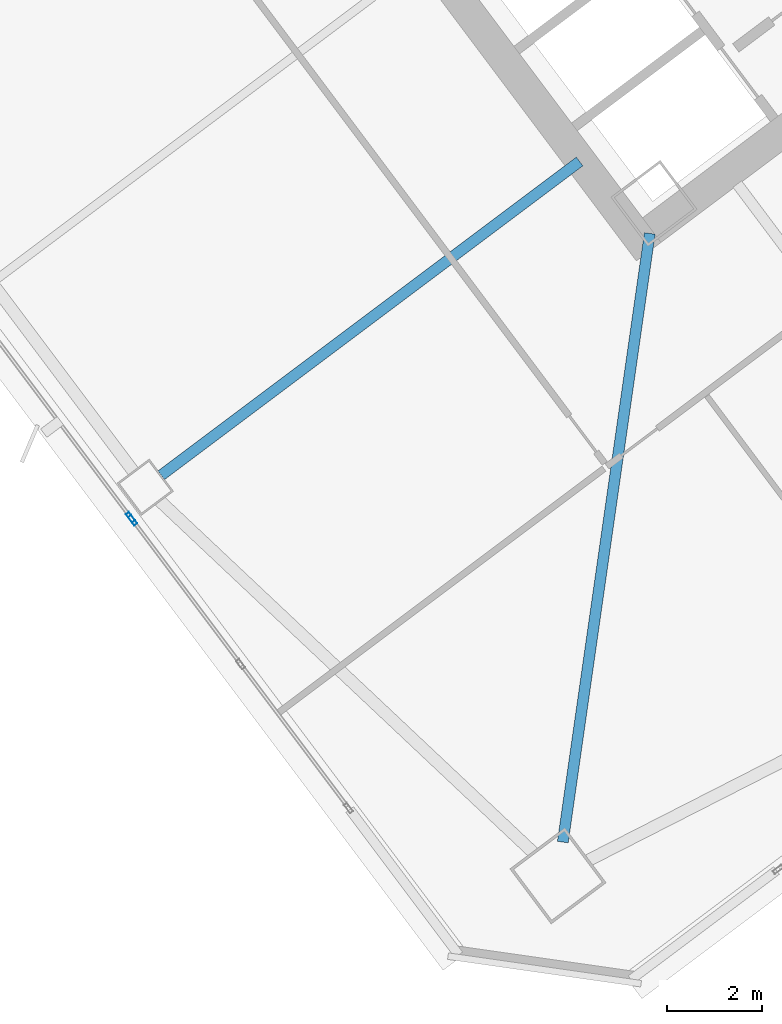
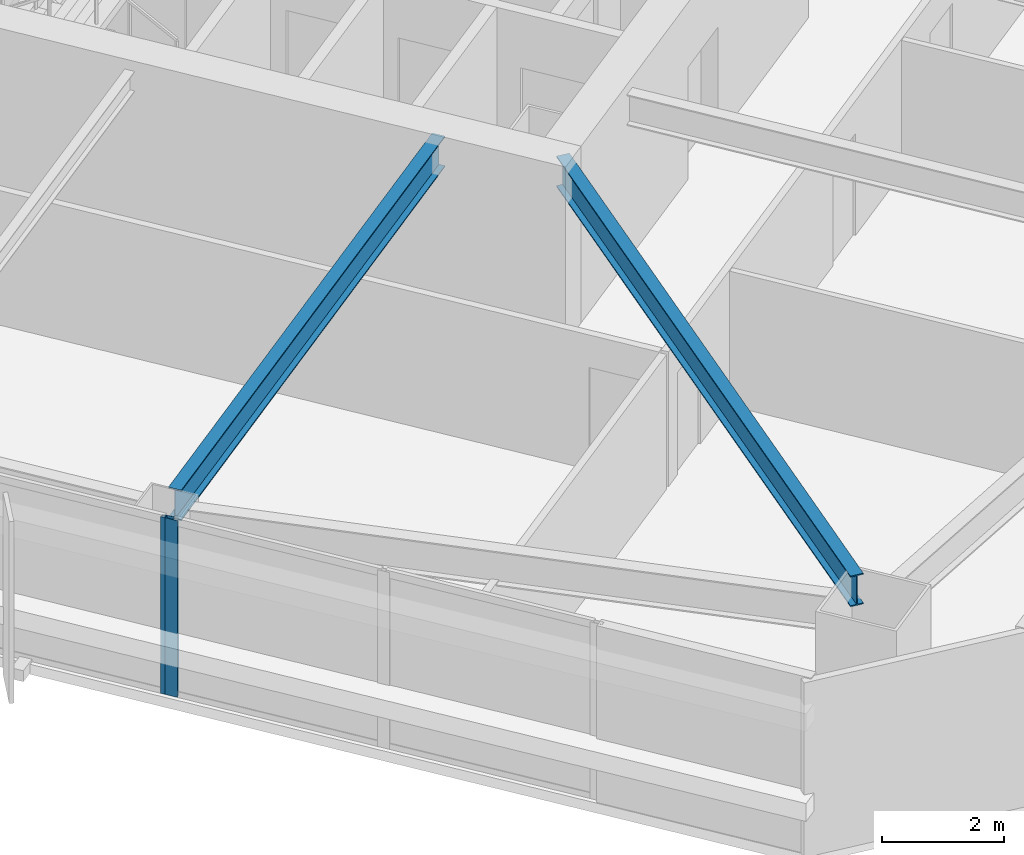
# One storey, part 22 of 49: 2 beams, 2 members, 2 elements without a shape of their own.
"""IFC4 building model written with IfcOpenShell, lengths in metres."""

from ifc_helpers import new_model, si_unit, direction, frame, origin, origin_2d, place, context, subcontext, project, spatial, hollow_rectangle, i_section, extrude, material, material_profile, profile_set, type_object, element, aggregate, save


model = new_model("IFC4")

# Units and contexts
model_context = context("Model", 3, precision=1e-05, world=origin(), true_north=direction((0.0, 1.0)))
body_context = subcontext(model_context, "Body", "Model", "MODEL_VIEW")
ifc_project = project(units=[si_unit("LENGTHUNIT", "METRE"), si_unit("AREAUNIT", "SQUARE_METRE"), si_unit("VOLUMEUNIT", "CUBIC_METRE"), si_unit("PLANEANGLEUNIT", "RADIAN"), si_unit("MASSUNIT", "GRAM", prefix="KILO")], contexts=[model_context])

# Site, building, storey
site_placement = place(None, origin())
site = spatial("IfcSite", under=ifc_project, at=site_placement, CompositionType="ELEMENT")
building_placement = place(site_placement, origin())
building = spatial("IfcBuilding", under=site, at=building_placement, Name="Tashvorn Skyway Center", CompositionType="ELEMENT")
storey_placement = place(building_placement, frame((0.0, 0.0, 70.75)))
storey = spatial("IfcBuildingStorey", under=building, at=storey_placement, Name="L18", CompositionType="ELEMENT", Elevation=70.75)

# Beams
ifc_material_1 = material(Name="Steel ASTM A992 Grade 50", Category="steel")
ifc_material_profile_1 = material_profile(ifc_material_1, i_section(OverallWidth=0.22998046875, OverallDepth=0.616943359375, WebThickness=0.01318359375, FlangeThickness=0.022216796875, at=origin_2d()), Name="W24X94")
ifc_profile_set_1 = profile_set([ifc_material_profile_1], Name="Steel ASTM A992 Grade 50")
beam_type = type_object("IfcBeamType", Name="BM-BEAM-W24X94", PredefinedType="BEAM", material=ifc_profile_set_1)
beam_1_placement = place(storey_placement, frame((110.661865234375, 8.6328125, 3.04150390625), z_axis=(0.141418724841, 0.989949869571, 0.0), x_axis=(-0.989949869571, 0.141418724841, 0.0)))
element("IfcBeam", 1, at=beam_1_placement, inside=storey, type_object=beam_type, Name="Tower 2 L18 Primary Floor Girder MC-SW", PredefinedType="BEAM", context=body_context, shape_type="SweptSolid", body=[
    extrude(i_section(OverallWidth=0.22998046875, OverallDepth=0.616943359375, WebThickness=0.01318359375, FlangeThickness=0.022216796875, at=origin_2d()), origin(), (0.0, 0.0, 1.0), 12.9892578125),
])
beam_2_placement = place(storey_placement, frame((102.176025390625, 16.382080078125, 3.04150390625), z_axis=(0.800007953832, 0.599989394744, 0.0), x_axis=(-0.599989394744, 0.800007953832, 0.0)))
element("IfcBeam", 2, at=beam_2_placement, inside=storey, type_object=beam_type, Name="Tower 2 L18 Primary Floor Girder FC-W2", PredefinedType="BEAM", context=body_context, shape_type="SweptSolid", body=[
    extrude(i_section(OverallWidth=0.22998046875, OverallDepth=0.616943359375, WebThickness=0.01318359375, FlangeThickness=0.022216796875, at=origin_2d()), origin(), (0.0, 0.0, 1.0), 11.050048828125),
])

# Curtain wall, member
ifc_material_2 = material(Name="Thermally broken bronze-anodized aluminium 6063-T6", Category="aluminium")
curtain_wall_type = type_object("IfcCurtainWallType", Name="CW-CW-Z2", PredefinedType="NOTDEFINED", material=ifc_material_2)
curtain_wall_1_placement = place(storey_placement, origin())
curtain_wall_1 = element("IfcCurtainWall", 3, at=curtain_wall_1_placement, inside=storey, type_object=curtain_wall_type, Name="Tower 2 L18 West Unitised Curtain Wall Glazing Group 1", PredefinedType="NOTDEFINED")
ifc_material_profile_2 = material_profile(ifc_material_2, hollow_rectangle(XDim=0.080078125, YDim=0.219970703125, WallThickness=0.0048828125, at=origin_2d()), Name="ALU-MULL-80x220")
ifc_profile_set_2 = profile_set([ifc_material_profile_2], Name="Thermally broken bronze-anodized aluminium 6063-T6")
member_type = type_object("IfcMemberType", Name="CWM-CW-Z2", PredefinedType="MULLION", material=ifc_profile_set_2)
member_1_placement = place(storey_placement, frame((101.575927734375, 15.431884765625, 0.0), z_axis=(0.0, 0.0, 1.0), x_axis=(-0.799999999998, -0.600000000002, 0.0)))
member_1 = element("IfcMember", 4, at=member_1_placement, type_object=member_type, Name="CW-Z2 mullion 3", PredefinedType="MULLION", context=body_context, shape_type="SweptSolid", body=[
    extrude(hollow_rectangle(XDim=0.080078125, YDim=0.219970703125, WallThickness=0.0048828125, at=origin_2d()), origin(), (0.0, 0.0, 1.0), 3.550048828125),
])
aggregate(curtain_wall_1, [member_1])

curtain_wall_2_placement = place(storey_placement, origin())
curtain_wall_2 = element("IfcCurtainWall", 5, at=curtain_wall_2_placement, inside=storey, type_object=curtain_wall_type, Name="Tower 2 L18 West Unitised Curtain Wall Glazing Group 2", PredefinedType="NOTDEFINED")
member_2_placement = place(storey_placement, frame((101.528076171875, 15.49609375, 0.0), z_axis=(0.0, 0.0, 1.0), x_axis=(-0.799999999998, -0.600000000002, 0.0)))
member_2 = element("IfcMember", 6, at=member_2_placement, type_object=member_type, Name="CW-Z2 mullion 1", PredefinedType="MULLION", context=body_context, shape_type="SweptSolid", body=[
    extrude(hollow_rectangle(XDim=0.080078125, YDim=0.219970703125, WallThickness=0.0048828125, at=origin_2d()), origin(), (0.0, 0.0, 1.0), 3.550048828125),
])
aggregate(curtain_wall_2, [member_2])

save(model, "model.ifc")
